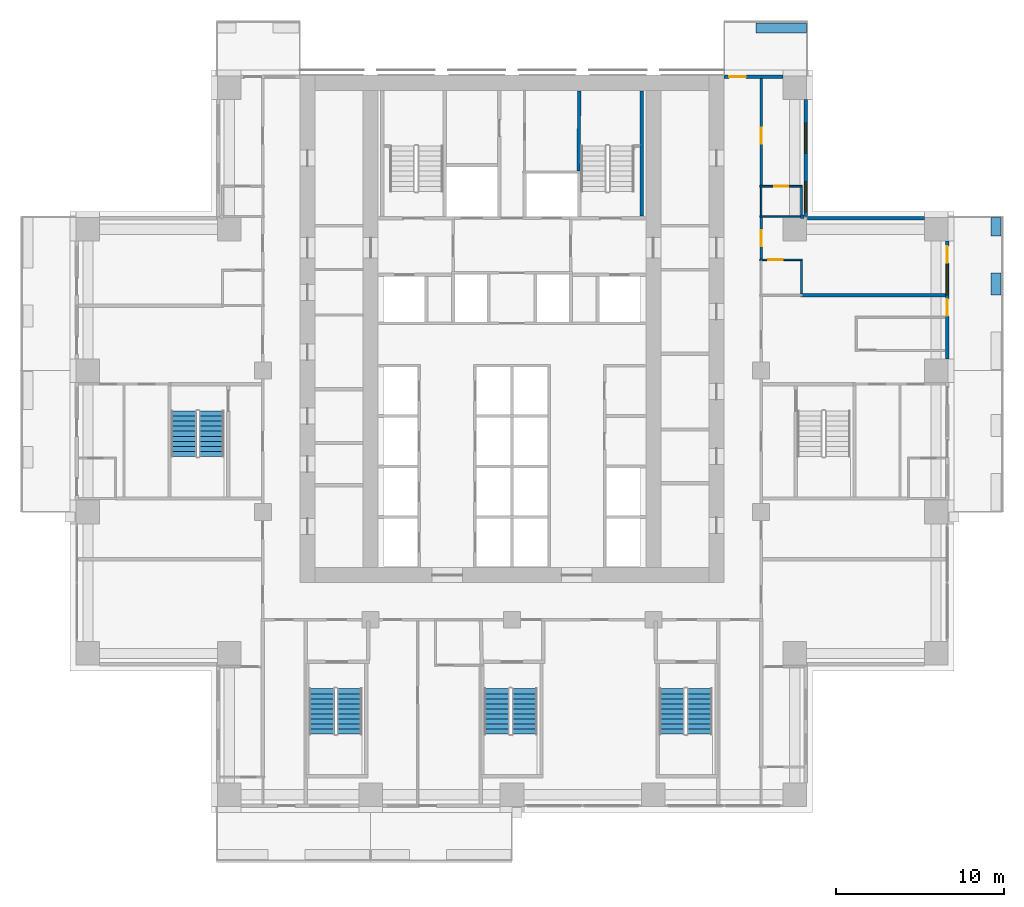
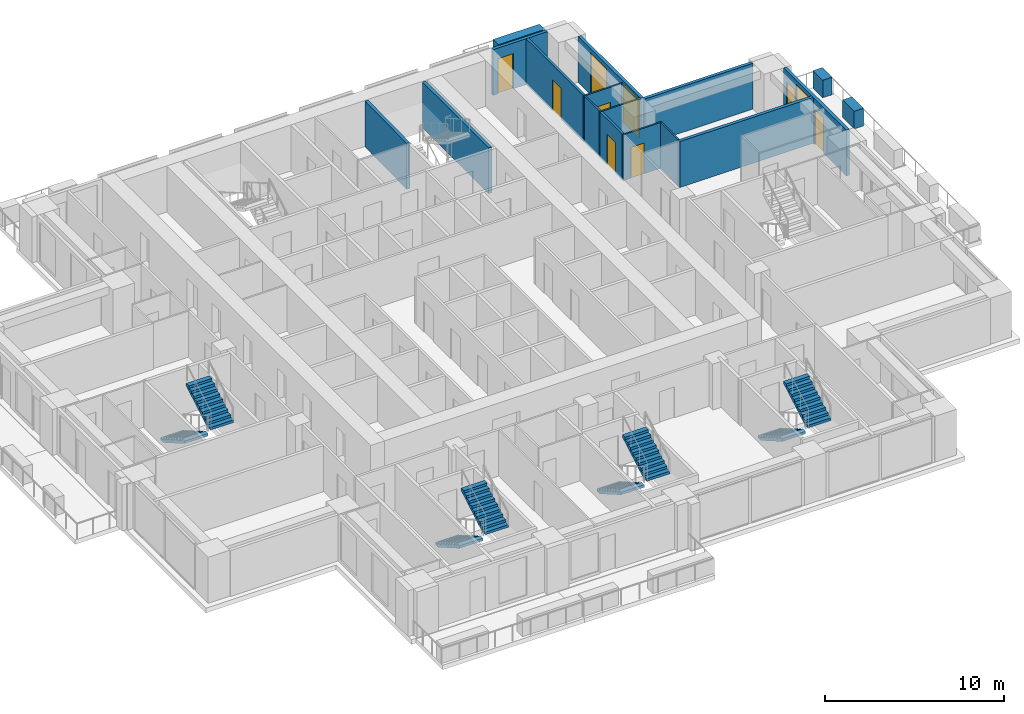
# One storey, part 12 of 17: 19 walls, 8 stair flights, 7 doors, 3 windows, 10 openings, 4 elements without a shape of their own.
"""IFC4 building model written with IfcOpenShell, lengths in metres."""

from ifc_helpers import new_model, si_unit, direction, frame, frame_2d, origin, place, context, subcontext, project, spatial, polyline, rectangle, outline, extrude, material, layer, layer_set, type_object, element, fill, aggregate, save


model = new_model("IFC4")

# Units and contexts
model_context = context("Model", 3, precision=1e-05, world=origin(), true_north=direction((0.0, 1.0)))
body_context = subcontext(model_context, "Body", "Model", "MODEL_VIEW")
ifc_project = project(units=[si_unit("LENGTHUNIT", "METRE"), si_unit("AREAUNIT", "SQUARE_METRE"), si_unit("VOLUMEUNIT", "CUBIC_METRE"), si_unit("PLANEANGLEUNIT", "RADIAN"), si_unit("MASSUNIT", "GRAM", prefix="KILO")], contexts=[model_context])

# Site, building, storey
site_placement = place(None, origin())
site = spatial("IfcSite", under=ifc_project, at=site_placement, CompositionType="ELEMENT")
building_placement = place(site_placement, origin())
building = spatial("IfcBuilding", under=site, at=building_placement, Name="Vermilion Ogive Tower", CompositionType="ELEMENT")
storey_placement = place(building_placement, frame((0.0, 0.0, 58.64990234375)))
storey = spatial("IfcBuildingStorey", under=building, at=storey_placement, Name="L13", CompositionType="ELEMENT", Elevation=58.64990234375)

# Wall, opening, door
ifc_material_1 = material(Name="Gypsum board partition on steel studs", Category="steel")
ifc_layer_1 = layer(ifc_material_1, 0.10009765625)
ifc_layer_set_1 = layer_set([ifc_layer_1], Name="Partition 100 bath")
wall_type_1 = type_object("IfcWallType", Name="Partition 100 bath", PredefinedType="PARTITIONING", material=ifc_layer_set_1)
wall_1_placement = place(storey_placement, frame((14.72509765625, 10.780029296875, 0.0), z_axis=(0.0, 0.0, 1.0), x_axis=(1.0, 0.0, 0.0)))
wall_1 = element("IfcWall", 1, at=wall_1_placement, inside=storey, type_object=wall_type_1, Name="L13-W-W034", PredefinedType="PARTITIONING", context=body_context, shape_type="SweptSolid", body=[
    extrude(rectangle(XDim=2.52490234375, YDim=0.10009765625, at=frame_2d((1.262451171875, 0.0))), origin(), (0.0, 0.0, 1.0), 3.130126953125),
])
opening_1_placement = place(wall_1_placement, frame((0.5, 0.0, 0.0)))
opening_1 = element("IfcOpeningElement", 2, at=opening_1_placement, cuts=wall_1, Name="Opening D1G4025", PredefinedType="OPENING", context=body_context, shape_type="SweptSolid", body=[
    extrude(rectangle(XDim=0.85009765625, YDim=2.10009765625, at=frame_2d((0.425048828125, 1.050048828125))), frame((0.0, 0.06005859375, 0.0), z_axis=(0.0, -1.0, 0.0), x_axis=(1.0, 0.0, 0.0)), (0.0, 0.0, 1.0), 0.1201171875),
])
ifc_material_2 = material(Name="Timber door leaf", Category="wood")
door_type_1 = type_object("IfcDoorType", Name="Bath door 850 x 2100 FD30", OperationType="SINGLE_SWING_LEFT", PredefinedType="DOOR", material=ifc_material_2)
door_1_placement = place(opening_1_placement, origin())
door_1 = element("IfcDoor", 3, at=door_1_placement, inside=storey, type_object=door_type_1, Name="L13-D-D025", OperationType="SINGLE_SWING_RIGHT", OverallHeight=2.10009765625, OverallWidth=0.85009765625, PredefinedType="DOOR", context=body_context, shape_type="SweptSolid", body=[
    extrude(rectangle(XDim=0.85009765625, YDim=2.10009765625, at=frame_2d((0.425048828125, 1.050048828125))), frame((0.0, 0.02490234375, 0.0), z_axis=(0.0, -1.0, 0.0), x_axis=(1.0, 0.0, 0.0)), (0.0, 0.0, 1.0), 0.050048828125),
])
fill(opening_1, door_1)

# Wall
wall_2_placement = place(storey_placement, frame((14.72509765625, 13.35009765625, 0.0), z_axis=(0.0, 0.0, 1.0), x_axis=(1.0, 0.0, 0.0)))
element("IfcWall", 4, at=wall_2_placement, inside=storey, type_object=wall_type_1, Name="L13-W-W037", PredefinedType="PARTITIONING", context=body_context, shape_type="SweptSolid", body=[
    extrude(rectangle(XDim=2.52490234375, YDim=0.10009765625, at=frame_2d((1.262451171875, 0.0))), origin(), (0.0, 0.0, 1.0), 3.130126953125),
])

# Wall, opening, door
wall_3_placement = place(storey_placement, frame((14.72509765625, 15.14990234375, 0.0), z_axis=(0.0, 0.0, 1.0), x_axis=(1.0, 0.0, 0.0)))
wall_3 = element("IfcWall", 5, at=wall_3_placement, inside=storey, type_object=wall_type_1, Name="L13-W-W040", PredefinedType="PARTITIONING", context=body_context, shape_type="SweptSolid", body=[
    extrude(rectangle(XDim=2.52490234375, YDim=0.10009765625, at=frame_2d((1.262451171875, 0.0))), origin(), (0.0, 0.0, 1.0), 3.130126953125),
])
opening_2_placement = place(wall_3_placement, frame((0.849853515625, 0.0, 0.0)))
opening_2 = element("IfcOpeningElement", 6, at=opening_2_placement, cuts=wall_3, Name="Opening D1G4027", PredefinedType="OPENING", context=body_context, shape_type="SweptSolid", body=[
    extrude(rectangle(XDim=0.85009765625, YDim=2.10009765625, at=frame_2d((0.425048828125, 1.050048828125))), frame((0.0, 0.06005859375, 0.0), z_axis=(0.0, -1.0, 0.0), x_axis=(1.0, 0.0, 0.0)), (0.0, 0.0, 1.0), 0.1201171875),
])
door_2_placement = place(opening_2_placement, origin())
door_2 = element("IfcDoor", 7, at=door_2_placement, inside=storey, type_object=door_type_1, Name="L13-D-D027", OperationType="SINGLE_SWING_RIGHT", OverallHeight=2.10009765625, OverallWidth=0.85009765625, PredefinedType="DOOR", context=body_context, shape_type="SweptSolid", body=[
    extrude(rectangle(XDim=0.85009765625, YDim=2.10009765625, at=frame_2d((0.425048828125, 1.050048828125))), frame((0.0, 0.02490234375, 0.0), z_axis=(0.0, -1.0, 0.0), x_axis=(1.0, 0.0, 0.0)), (0.0, 0.0, 1.0), 0.050048828125),
])
fill(opening_2, door_2)

# Walls
wall_4_placement = place(storey_placement, frame((14.800048828125, 13.39990234375, 0.0), z_axis=(0.0, 0.0, 1.0), x_axis=(0.0, 1.0, 0.0)))
element("IfcWall", 8, at=wall_4_placement, inside=storey, type_object=wall_type_1, Name="L13-W-W074", PredefinedType="PARTITIONING", context=body_context, shape_type="SweptSolid", body=[
    extrude(rectangle(XDim=1.7001953125, YDim=0.10009765625, at=frame_2d((0.85009765625, 0.0))), origin(), (0.0, 0.0, 1.0), 3.130126953125),
])
wall_5_placement = place(storey_placement, frame((17.199951171875, 8.780029296875, 0.0), z_axis=(0.0, 0.0, 1.0), x_axis=(0.0, 1.0, 0.0)))
element("IfcWall", 9, at=wall_5_placement, inside=storey, type_object=wall_type_1, Name="L13-W-W077", PredefinedType="PARTITIONING", context=body_context, shape_type="SweptSolid", body=[
    extrude(rectangle(XDim=1.949951171875, YDim=0.10009765625, at=frame_2d((0.97509765625, 0.0))), origin(), (0.0, 0.0, 1.0), 3.130126953125),
])
wall_6_placement = place(storey_placement, frame((17.199951171875, 13.449951171875, 0.0), z_axis=(0.0, 0.0, 1.0), x_axis=(0.0, 1.0, 0.0)))
element("IfcWall", 10, at=wall_6_placement, inside=storey, type_object=wall_type_1, Name="L13-W-W078", PredefinedType="PARTITIONING", context=body_context, shape_type="SweptSolid", body=[
    extrude(rectangle(XDim=1.650146484375, YDim=0.10009765625, at=frame_2d((0.8251953125, 0.0))), origin(), (0.0, 0.0, 1.0), 3.130126953125),
])

# Wall, opening, door
ifc_material_3 = material(Name="Gypsum board partition on steel studs", Category="steel")
ifc_layer_2 = layer(ifc_material_3, 0.14990234375)
ifc_layer_set_2 = layer_set([ifc_layer_2], Name="Partition 150 corridor")
wall_type_2 = type_object("IfcWallType", Name="Partition 150 corridor", PredefinedType="PARTITIONING", material=ifc_layer_set_2)
wall_7_placement = place(storey_placement, frame((14.800048828125, 10.830078125, 0.0), z_axis=(0.0, 0.0, 1.0), x_axis=(0.0, 1.0, 0.0)))
wall_7 = element("IfcWall", 11, at=wall_7_placement, inside=storey, type_object=wall_type_2, Name="L13-W-W073", PredefinedType="PARTITIONING", context=body_context, shape_type="SweptSolid", body=[
    extrude(rectangle(XDim=2.469970703125, YDim=0.14990234375, at=frame_2d((1.23486328125, 0.0))), origin(), (0.0, 0.0, 1.0), 3.130126953125),
])
opening_3_placement = place(wall_7_placement, frame((0.760009765625, 0.0, 0.0)))
opening_3 = element("IfcOpeningElement", 12, at=opening_3_placement, cuts=wall_7, Name="Opening D1G4024", PredefinedType="OPENING", context=body_context, shape_type="SweptSolid", body=[
    extrude(rectangle(XDim=0.949951171875, YDim=2.10009765625, at=frame_2d((0.47509765625, 1.050048828125))), frame((0.0, 0.0849609375, 0.0), z_axis=(0.0, -1.0, 0.0), x_axis=(1.0, 0.0, 0.0)), (0.0, 0.0, 1.0), 0.169921875),
])
ifc_material_4 = material(Name="Timber door leaf", Category="wood")
door_type_2 = type_object("IfcDoorType", Name="Unit door 950 x 2100 FD30S", OperationType="SINGLE_SWING_LEFT", PredefinedType="DOOR", material=ifc_material_4)
door_3_placement = place(opening_3_placement, origin())
door_3 = element("IfcDoor", 13, at=door_3_placement, inside=storey, type_object=door_type_2, Name="L13-D-D024", OperationType="SINGLE_SWING_RIGHT", OverallHeight=2.10009765625, OverallWidth=0.949951171875, PredefinedType="DOOR", context=body_context, shape_type="SweptSolid", body=[
    extrude(rectangle(XDim=0.949951171875, YDim=2.10009765625, at=frame_2d((0.47509765625, 1.050048828125))), frame((0.0, 0.02490234375, 0.0), z_axis=(0.0, -1.0, 0.0), x_axis=(1.0, 0.0, 0.0)), (0.0, 0.0, 1.0), 0.050048828125),
])
fill(opening_3, door_3)

wall_8_placement = place(storey_placement, frame((14.800048828125, 15.199951171875, 0.0), z_axis=(0.0, 0.0, 1.0), x_axis=(0.0, 1.0, 0.0)))
wall_8 = element("IfcWall", 14, at=wall_8_placement, inside=storey, type_object=wall_type_2, Name="L13-W-W075", PredefinedType="PARTITIONING", context=body_context, shape_type="SweptSolid", body=[
    extrude(rectangle(XDim=6.35009765625, YDim=0.14990234375, at=frame_2d((3.175048828125, 0.0))), origin(), (0.0, 0.0, 1.0), 3.130126953125),
])
opening_4_placement = place(wall_8_placement, frame((2.47509765625, 0.0, 0.0)))
opening_4 = element("IfcOpeningElement", 15, at=opening_4_placement, cuts=wall_8, Name="Opening D1G4026", PredefinedType="OPENING", context=body_context, shape_type="SweptSolid", body=[
    extrude(rectangle(XDim=0.949951171875, YDim=2.10009765625, at=frame_2d((0.47509765625, 1.050048828125))), frame((0.0, 0.0849609375, 0.0), z_axis=(0.0, -1.0, 0.0), x_axis=(1.0, 0.0, 0.0)), (0.0, 0.0, 1.0), 0.169921875),
])
door_4_placement = place(opening_4_placement, origin())
door_4 = element("IfcDoor", 16, at=door_4_placement, inside=storey, type_object=door_type_2, Name="L13-D-D026", OperationType="SINGLE_SWING_LEFT", OverallHeight=2.10009765625, OverallWidth=0.949951171875, PredefinedType="DOOR", context=body_context, shape_type="SweptSolid", body=[
    extrude(rectangle(XDim=0.949951171875, YDim=2.10009765625, at=frame_2d((0.47509765625, 1.050048828125))), frame((0.0, 0.02490234375, 0.0), z_axis=(0.0, -1.0, 0.0), x_axis=(1.0, 0.0, 0.0)), (0.0, 0.0, 1.0), 0.050048828125),
])
fill(opening_4, door_4)

# Walls
ifc_material_5 = material(Name="Gypsum board partition on steel studs", Category="steel")
ifc_layer_3 = layer(ifc_material_5, 0.199951171875)
ifc_layer_set_3 = layer_set([ifc_layer_3], Name="Partition 200 party")
wall_type_3 = type_object("IfcWallType", Name="Partition 200 party", PredefinedType="PARTITIONING", material=ifc_layer_set_3)
wall_9_placement = place(storey_placement, frame((17.14990234375, 8.679931640625, 0.0), z_axis=(0.0, 0.0, 1.0), x_axis=(1.0, 0.0, 0.0)))
element("IfcWall", 17, at=wall_9_placement, inside=storey, type_object=wall_type_3, Name="L13-W-W032", PredefinedType="PARTITIONING", context=body_context, shape_type="SweptSolid", body=[
    extrude(rectangle(XDim=8.60009765625, YDim=0.199951171875, at=frame_2d((4.300048828125, 0.0))), origin(), (0.0, 0.0, 1.0), 3.130126953125),
])
wall_10_placement = place(storey_placement, frame((17.14990234375, 13.35009765625, 0.0), z_axis=(0.0, 0.0, 1.0), x_axis=(1.0, 0.0, 0.0)))
element("IfcWall", 18, at=wall_10_placement, inside=storey, type_object=wall_type_3, Name="L13-W-W038", PredefinedType="PARTITIONING", context=body_context, shape_type="SweptSolid", body=[
    extrude(rectangle(XDim=0.2001953125, YDim=0.199951171875, at=frame_2d((0.10009765625, 0.0))), origin(), (0.0, 0.0, 1.0), 3.130126953125),
])
ifc_material_6 = material(Name="Concrete B60", Category="concrete")
ifc_layer_4 = layer(ifc_material_6, 0.199951171875)
ifc_layer_set_4 = layer_set([ifc_layer_4], Name="Stair shaft wall 200 Concrete B60")
wall_type_4 = type_object("IfcWallType", Name="Stair shaft wall 200 Concrete B60", PredefinedType="SOLIDWALL", material=ifc_layer_set_4)
wall_11_placement = place(storey_placement, frame((3.949951171875, 16.050048828125, 0.0), z_axis=(0.0, 0.0, 1.0), x_axis=(0.010538176883, 0.999944471872, 0.0)))
element("IfcWall", 19, at=wall_11_placement, inside=storey, type_object=wall_type_4, Name="L13-CK-W-W038", PredefinedType="SOLIDWALL", context=body_context, shape_type="SweptSolid", body=[
    extrude(rectangle(XDim=4.749267578125, YDim=0.199951171875, at=frame_2d((2.37451171875, 0.0))), origin(), (0.0, 0.0, 1.0), 3.130126953125),
])
wall_12_placement = place(storey_placement, frame((7.699951171875, 13.39990234375, 0.0), z_axis=(0.0, 0.0, 1.0), x_axis=(0.0, 1.0, 0.0)))
element("IfcWall", 20, at=wall_12_placement, inside=storey, type_object=wall_type_4, Name="L13-SW-R026-E1", PredefinedType="SOLIDWALL", context=body_context, shape_type="SweptSolid", body=[
    extrude(rectangle(XDim=7.400146484375, YDim=0.199951171875, at=frame_2d((3.7001953125, 0.0))), origin(), (0.0, 0.0, 1.0), 3.130126953125),
])
ifc_material_7 = material(Name="Concrete B40", Category="concrete")
ifc_layer_5 = layer(ifc_material_7, 0.60009765625)
ifc_layer_set_5 = layer_set([ifc_layer_5], Name="Structural planter")
wall_type_5 = type_object("IfcWallType", Name="Structural planter", PredefinedType="USERDEFINED", material=ifc_layer_set_5)
wall_13_placement = place(storey_placement, frame((28.75, 8.699951171875, -0.039794921875), z_axis=(0.0, 0.0, 1.0), x_axis=(0.0, 1.0, 0.0)))
element("IfcWall", 21, at=wall_13_placement, inside=storey, type_object=wall_type_5, Name="Planter E03A2", ObjectType="PLANTER", PredefinedType="USERDEFINED", context=body_context, shape_type="SweptSolid", body=[
    extrude(rectangle(XDim=1.300048828125, YDim=0.60009765625, at=frame_2d((0.64990234375, 0.0))), origin(), (0.0, 0.0, 1.0), 1.199951171875),
])
wall_14_placement = place(storey_placement, frame((28.75, 12.199951171875, -0.039794921875), z_axis=(0.0, 0.0, 1.0), x_axis=(0.0, 1.0, 0.0)))
element("IfcWall", 22, at=wall_14_placement, inside=storey, type_object=wall_type_5, Name="Planter E03A3", ObjectType="PLANTER", PredefinedType="USERDEFINED", context=body_context, shape_type="SweptSolid", body=[
    extrude(rectangle(XDim=1.090087890625, YDim=0.60009765625, at=frame_2d((0.544921875, 0.0))), origin(), (0.0, 0.0, 1.0), 1.199951171875),
])
wall_15_placement = place(storey_placement, frame((17.489990234375, 24.550048828125, -0.039794921875), z_axis=(0.0, 0.0, 1.0), x_axis=(-1.0, 0.0, 0.0)))
element("IfcWall", 23, at=wall_15_placement, inside=storey, type_object=wall_type_5, Name="Planter N101A1", ObjectType="PLANTER", PredefinedType="USERDEFINED", context=body_context, shape_type="SweptSolid", body=[
    extrude(rectangle(XDim=2.989990234375, YDim=0.60009765625, at=frame_2d((1.4951171875, 0.0))), origin(), (0.0, 0.0, 1.0), 1.199951171875),
])

# Wall, openings, doors, window
ifc_material_8 = material(Name="Aluminium window wall framing", Category="aluminium")
ifc_layer_6 = layer(ifc_material_8, 0.199951171875)
ifc_layer_set_6 = layer_set([ifc_layer_6], Name="Window wall")
wall_type_6 = type_object("IfcWallType", Name="Window wall", PredefinedType="STANDARD", material=ifc_layer_set_6)
wall_16_placement = place(storey_placement, frame((25.85009765625, 4.89990234375, 0.0), z_axis=(0.0, 0.0, 1.0), x_axis=(0.0, 1.0, 0.0)))
wall_16 = element("IfcWall", 24, at=wall_16_placement, inside=storey, type_object=wall_type_6, Name="Window wall E3", PredefinedType="STANDARD", context=body_context, shape_type="SweptSolid", body=[
    extrude(rectangle(XDim=7.0, YDim=0.199951171875, at=frame_2d((3.5, 0.0))), origin(), (0.0, 0.0, 1.0), 3.130126953125),
])
opening_5_placement = place(wall_16_placement, frame((2.550048828125, 0.0, 0.0)))
opening_5 = element("IfcOpeningElement", 25, at=opening_5_placement, cuts=wall_16, Name="Opening D1-E01", PredefinedType="OPENING", context=body_context, shape_type="SweptSolid", body=[
    extrude(rectangle(XDim=1.0, YDim=2.39990234375, at=frame_2d((0.5, 1.199951171875))), frame((0.0, 0.10986328125, 0.0), z_axis=(0.0, -1.0, 0.0), x_axis=(1.0, 0.0, 0.0)), (0.0, 0.0, 1.0), 0.219970703125),
])
opening_6_placement = place(wall_16_placement, frame((3.800048828125, 0.0, 0.199951171875)))
opening_6 = element("IfcOpeningElement", 26, at=opening_6_placement, cuts=wall_16, Name="Opening W1-E02", PredefinedType="OPENING", context=body_context, shape_type="SweptSolid", body=[
    extrude(rectangle(XDim=1.800048828125, YDim=2.64990234375, at=frame_2d((0.89990234375, 1.324951171875))), frame((0.0, 0.10986328125, 0.0), z_axis=(0.0, -1.0, 0.0), x_axis=(1.0, 0.0, 0.0)), (0.0, 0.0, 1.0), 0.219970703125),
])
opening_7_placement = place(wall_16_placement, frame((5.699951171875, 0.0, 0.0)))
opening_7 = element("IfcOpeningElement", 27, at=opening_7_placement, cuts=wall_16, Name="Opening D1-E02", PredefinedType="OPENING", context=body_context, shape_type="SweptSolid", body=[
    extrude(rectangle(XDim=1.0, YDim=2.39990234375, at=frame_2d((0.5, 1.199951171875))), frame((0.0, 0.10986328125, 0.0), z_axis=(0.0, -1.0, 0.0), x_axis=(1.0, 0.0, 0.0)), (0.0, 0.0, 1.0), 0.219970703125),
])
ifc_material_9 = material(Name="Aluminium framed glazed door", Category="aluminium")
door_type_3 = type_object("IfcDoorType", Name="Balcony door D1", OperationType="SINGLE_SWING_LEFT", PredefinedType="DOOR", material=ifc_material_9)
door_5_placement = place(opening_5_placement, origin())
door_5 = element("IfcDoor", 28, at=door_5_placement, inside=storey, type_object=door_type_3, Name="Balcony door E01", OperationType="SINGLE_SWING_LEFT", OverallHeight=2.39990234375, OverallWidth=1.0, PredefinedType="DOOR", context=body_context, shape_type="SweptSolid", body=[
    extrude(rectangle(XDim=1.0, YDim=2.39990234375, at=frame_2d((0.5, 1.199951171875))), frame((0.0, 0.02490234375, 0.0), z_axis=(0.0, -1.0, 0.0), x_axis=(1.0, 0.0, 0.0)), (0.0, 0.0, 1.0), 0.050048828125),
])
fill(opening_5, door_5)
door_6_placement = place(opening_7_placement, origin())
door_6 = element("IfcDoor", 29, at=door_6_placement, inside=storey, type_object=door_type_3, Name="Balcony door E02", OperationType="SINGLE_SWING_LEFT", OverallHeight=2.39990234375, OverallWidth=1.0, PredefinedType="DOOR", context=body_context, shape_type="SweptSolid", body=[
    extrude(rectangle(XDim=1.0, YDim=2.39990234375, at=frame_2d((0.5, 1.199951171875))), frame((0.0, 0.02490234375, 0.0), z_axis=(0.0, -1.0, 0.0), x_axis=(1.0, 0.0, 0.0)), (0.0, 0.0, 1.0), 0.050048828125),
])
fill(opening_7, door_6)
ifc_material_10 = material(Name="Aluminium framed double glazing", Category="aluminium")
window_type = type_object("IfcWindowType", Name="Guest window W1", PartitioningType="SINGLE_PANEL", PredefinedType="WINDOW", material=ifc_material_10)
window_1_placement = place(opening_6_placement, origin())
window_1 = element("IfcWindow", 30, at=window_1_placement, inside=storey, type_object=window_type, Name="Window E02", OverallHeight=2.64990234375, OverallWidth=1.800048828125, PartitioningType="SINGLE_PANEL", PredefinedType="WINDOW", context=body_context, shape_type="SweptSolid", body=[
    extrude(rectangle(XDim=1.800048828125, YDim=2.64990234375, at=frame_2d((0.89990234375, 1.324951171875))), frame((0.0, 0.030029296875, 0.0), z_axis=(0.0, -1.0, 0.0), x_axis=(1.0, 0.0, 0.0)), (0.0, 0.0, 1.0), 0.06005859375),
])
fill(opening_6, window_1)

# Wall
wall_17_placement = place(storey_placement, frame((24.5, 13.25, 0.0), z_axis=(0.0, 0.0, 1.0), x_axis=(-1.0, 0.0, 0.0)))
element("IfcWall", 31, at=wall_17_placement, inside=storey, type_object=wall_type_6, Name="Window wall X31", PredefinedType="STANDARD", context=body_context, shape_type="SweptSolid", body=[
    extrude(rectangle(XDim=6.949951171875, YDim=0.199951171875, at=frame_2d((3.47509765625, 0.0))), origin(), (0.0, 0.0, 1.0), 3.130126953125),
])

# Wall, openings, windows
wall_18_placement = place(storey_placement, frame((17.449951171875, 13.35009765625, 0.0), z_axis=(0.0, 0.0, 1.0), x_axis=(0.0, 1.0, 0.0)))
wall_18 = element("IfcWall", 32, at=wall_18_placement, inside=storey, type_object=wall_type_6, Name="Window wall X41", PredefinedType="STANDARD", context=body_context, shape_type="SweptSolid", body=[
    extrude(rectangle(XDim=6.949951171875, YDim=0.199951171875, at=frame_2d((3.47509765625, 0.0))), origin(), (0.0, 0.0, 1.0), 3.130126953125),
])
opening_8_placement = place(wall_18_placement, frame((0.27490234375, 0.0, 0.199951171875)))
opening_8 = element("IfcOpeningElement", 33, at=opening_8_placement, cuts=wall_18, Name="Opening W1-X403", PredefinedType="OPENING", context=body_context, shape_type="SweptSolid", body=[
    extrude(rectangle(XDim=1.800048828125, YDim=2.64990234375, at=frame_2d((0.89990234375, 1.324951171875))), frame((0.0, 0.10986328125, 0.0), z_axis=(0.0, -1.0, 0.0), x_axis=(1.0, 0.0, 0.0)), (0.0, 0.0, 1.0), 0.219970703125),
])
opening_9_placement = place(wall_18_placement, frame((3.75, 0.0, 0.199951171875)))
opening_9 = element("IfcOpeningElement", 34, at=opening_9_placement, cuts=wall_18, Name="Opening W1-X404", PredefinedType="OPENING", context=body_context, shape_type="SweptSolid", body=[
    extrude(rectangle(XDim=1.800048828125, YDim=2.64990234375, at=frame_2d((0.89990234375, 1.324951171875))), frame((0.0, 0.10986328125, 0.0), z_axis=(0.0, -1.0, 0.0), x_axis=(1.0, 0.0, 0.0)), (0.0, 0.0, 1.0), 0.219970703125),
])
window_2_placement = place(opening_8_placement, origin())
window_2 = element("IfcWindow", 35, at=window_2_placement, inside=storey, type_object=window_type, Name="Window X403", OverallHeight=2.64990234375, OverallWidth=1.800048828125, PartitioningType="SINGLE_PANEL", PredefinedType="WINDOW", context=body_context, shape_type="SweptSolid", body=[
    extrude(rectangle(XDim=1.800048828125, YDim=2.64990234375, at=frame_2d((0.89990234375, 1.324951171875))), frame((0.0, 0.030029296875, 0.0), z_axis=(0.0, -1.0, 0.0), x_axis=(1.0, 0.0, 0.0)), (0.0, 0.0, 1.0), 0.06005859375),
])
fill(opening_8, window_2)
window_3_placement = place(opening_9_placement, origin())
window_3 = element("IfcWindow", 36, at=window_3_placement, inside=storey, type_object=window_type, Name="Window X404", OverallHeight=2.64990234375, OverallWidth=1.800048828125, PartitioningType="SINGLE_PANEL", PredefinedType="WINDOW", context=body_context, shape_type="SweptSolid", body=[
    extrude(rectangle(XDim=1.800048828125, YDim=2.64990234375, at=frame_2d((0.89990234375, 1.324951171875))), frame((0.0, 0.030029296875, 0.0), z_axis=(0.0, -1.0, 0.0), x_axis=(1.0, 0.0, 0.0)), (0.0, 0.0, 1.0), 0.06005859375),
])
fill(opening_9, window_3)

# Wall, opening, door
wall_19_placement = place(storey_placement, frame((16.10009765625, 21.64990234375, 0.0), z_axis=(0.0, 0.0, 1.0), x_axis=(-1.0, 0.0, 0.0)))
wall_19 = element("IfcWall", 37, at=wall_19_placement, inside=storey, type_object=wall_type_6, Name="Window wall N11", PredefinedType="STANDARD", context=body_context, shape_type="SweptSolid", body=[
    extrude(rectangle(XDim=3.5, YDim=0.199951171875, at=frame_2d((1.75, 0.0))), origin(), (0.0, 0.0, 1.0), 3.130126953125),
])
opening_10_placement = place(wall_19_placement, frame((2.199951171875, 0.0, 0.0)))
opening_10 = element("IfcOpeningElement", 38, at=opening_10_placement, cuts=wall_19, Name="Opening D1-N103", PredefinedType="OPENING", context=body_context, shape_type="SweptSolid", body=[
    extrude(rectangle(XDim=1.0, YDim=2.39990234375, at=frame_2d((0.5, 1.199951171875))), frame((0.0, 0.10986328125, 0.0), z_axis=(0.0, -1.0, 0.0), x_axis=(1.0, 0.0, 0.0)), (0.0, 0.0, 1.0), 0.219970703125),
])
door_7_placement = place(opening_10_placement, origin())
door_7 = element("IfcDoor", 39, at=door_7_placement, inside=storey, type_object=door_type_3, Name="Balcony door N103", OperationType="SINGLE_SWING_LEFT", OverallHeight=2.39990234375, OverallWidth=1.0, PredefinedType="DOOR", context=body_context, shape_type="SweptSolid", body=[
    extrude(rectangle(XDim=1.0, YDim=2.39990234375, at=frame_2d((0.5, 1.199951171875))), frame((0.0, 0.02490234375, 0.0), z_axis=(0.0, -1.0, 0.0), x_axis=(1.0, 0.0, 0.0)), (0.0, 0.0, 1.0), 0.050048828125),
])
fill(opening_10, door_7)

# Stair, stair flights
ifc_material_11 = material(Name="Concrete B40", Category="concrete")
stair_type = type_object("IfcStairType", Name="Exit stair 1500", PredefinedType="HALF_TURN_STAIR", material=ifc_material_11)
stair_1_placement = place(storey_placement, origin())
stair_1 = element("IfcStair", 40, at=stair_1_placement, inside=storey, type_object=stair_type, Name="L13 Exit Stair ST3", PredefinedType="HALF_TURN_STAIR")
ifc_material_12 = material(Name="Concrete B40", Category="concrete")
stair_flight_type = type_object("IfcStairFlightType", Name="Stair flight 1500", PredefinedType="STRAIGHT", material=ifc_material_12)
stair_flight_1_placement = place(storey_placement, frame((-11.300048828125, -14.699951171875, 0.0), z_axis=(0.0, 0.0, 1.0), x_axis=(0.0, -1.0, 0.0)))
stair_flight_1 = element("IfcStairFlight", 41, at=stair_flight_1_placement, type_object=stair_flight_type, Name="ST3 flight 1", NumberOfRisers=10, NumberOfTreads=9, PredefinedType="STRAIGHT", RiserHeight=0.1725, TreadLength=0.3, context=body_context, shape_type="SweptSolid", body=[
    extrude(outline(polyline([(0.0, 0.0), (0.0, 0.172607421875), (0.300048828125, 0.172607421875), (0.300048828125, 0.344970703125), (0.60009765625, 0.344970703125), (0.60009765625, 0.517578125), (0.89990234375, 0.517578125), (0.89990234375, 0.68994140625), (1.199951171875, 0.68994140625), (1.199951171875, 0.862548828125), (1.5, 0.862548828125), (1.5, 1.034912109375), (1.800048828125, 1.034912109375), (1.800048828125, 1.20751953125), (2.10009765625, 1.20751953125), (2.10009765625, 1.3798828125), (2.39990234375, 1.3798828125), (2.39990234375, 1.552490234375), (2.699951171875, 1.552490234375), (2.699951171875, 1.72509765625), (2.699951171875, 1.379638671875), (0.30078125, 0.0), (0.0, 0.0)])), frame((0.0, 0.75, 0.0), z_axis=(0.0, -1.0, 0.0), x_axis=(1.0, 0.0, 0.0)), (0.0, 0.0, 1.0), 1.5),
])
stair_flight_2_placement = place(storey_placement, frame((-9.64990234375, -17.39990234375, 1.72509765625), z_axis=(0.0, 0.0, 1.0), x_axis=(0.0, 1.0, 0.0)))
stair_flight_2 = element("IfcStairFlight", 42, at=stair_flight_2_placement, type_object=stair_flight_type, Name="ST3 flight 2", NumberOfRisers=10, NumberOfTreads=9, PredefinedType="STRAIGHT", RiserHeight=0.1725, TreadLength=0.3, context=body_context, shape_type="SweptSolid", body=[
    extrude(outline(polyline([(0.0, 0.0), (0.0, 0.172607421875), (0.300048828125, 0.172607421875), (0.300048828125, 0.344970703125), (0.60009765625, 0.344970703125), (0.60009765625, 0.517578125), (0.89990234375, 0.517578125), (0.89990234375, 0.68994140625), (1.199951171875, 0.68994140625), (1.199951171875, 0.862548828125), (1.5, 0.862548828125), (1.5, 1.034912109375), (1.800048828125, 1.034912109375), (1.800048828125, 1.20751953125), (2.10009765625, 1.20751953125), (2.10009765625, 1.3798828125), (2.39990234375, 1.3798828125), (2.39990234375, 1.552490234375), (2.699951171875, 1.552490234375), (2.699951171875, 1.72509765625), (2.699951171875, 1.379638671875), (0.30078125, 0.0), (0.0, 0.0)])), frame((0.0, 0.75, 0.0), z_axis=(0.0, -1.0, 0.0), x_axis=(1.0, 0.0, 0.0)), (0.0, 0.0, 1.0), 1.5),
])
aggregate(stair_1, [stair_flight_1, stair_flight_2])

stair_2_placement = place(storey_placement, origin())
stair_2 = element("IfcStair", 43, at=stair_2_placement, inside=storey, type_object=stair_type, Name="L13 Exit Stair ST4", PredefinedType="HALF_TURN_STAIR")
stair_flight_3_placement = place(storey_placement, frame((-0.89990234375, -14.699951171875, 0.0), z_axis=(0.0, 0.0, 1.0), x_axis=(0.0, -1.0, 0.0)))
stair_flight_3 = element("IfcStairFlight", 44, at=stair_flight_3_placement, type_object=stair_flight_type, Name="ST4 flight 1", NumberOfRisers=10, NumberOfTreads=9, PredefinedType="STRAIGHT", RiserHeight=0.1725, TreadLength=0.3, context=body_context, shape_type="SweptSolid", body=[
    extrude(outline(polyline([(0.0, 0.0), (0.0, 0.172607421875), (0.300048828125, 0.172607421875), (0.300048828125, 0.344970703125), (0.60009765625, 0.344970703125), (0.60009765625, 0.517578125), (0.89990234375, 0.517578125), (0.89990234375, 0.68994140625), (1.199951171875, 0.68994140625), (1.199951171875, 0.862548828125), (1.5, 0.862548828125), (1.5, 1.034912109375), (1.800048828125, 1.034912109375), (1.800048828125, 1.20751953125), (2.10009765625, 1.20751953125), (2.10009765625, 1.3798828125), (2.39990234375, 1.3798828125), (2.39990234375, 1.552490234375), (2.699951171875, 1.552490234375), (2.699951171875, 1.72509765625), (2.699951171875, 1.379638671875), (0.30078125, 0.0), (0.0, 0.0)])), frame((0.0, 0.75, 0.0), z_axis=(0.0, -1.0, 0.0), x_axis=(1.0, 0.0, 0.0)), (0.0, 0.0, 1.0), 1.5),
])
stair_flight_4_placement = place(storey_placement, frame((0.75, -17.39990234375, 1.72509765625), z_axis=(0.0, 0.0, 1.0), x_axis=(0.0, 1.0, 0.0)))
stair_flight_4 = element("IfcStairFlight", 45, at=stair_flight_4_placement, type_object=stair_flight_type, Name="ST4 flight 2", NumberOfRisers=10, NumberOfTreads=9, PredefinedType="STRAIGHT", RiserHeight=0.1725, TreadLength=0.3, context=body_context, shape_type="SweptSolid", body=[
    extrude(outline(polyline([(0.0, 0.0), (0.0, 0.172607421875), (0.300048828125, 0.172607421875), (0.300048828125, 0.344970703125), (0.60009765625, 0.344970703125), (0.60009765625, 0.517578125), (0.89990234375, 0.517578125), (0.89990234375, 0.68994140625), (1.199951171875, 0.68994140625), (1.199951171875, 0.862548828125), (1.5, 0.862548828125), (1.5, 1.034912109375), (1.800048828125, 1.034912109375), (1.800048828125, 1.20751953125), (2.10009765625, 1.20751953125), (2.10009765625, 1.3798828125), (2.39990234375, 1.3798828125), (2.39990234375, 1.552490234375), (2.699951171875, 1.552490234375), (2.699951171875, 1.72509765625), (2.699951171875, 1.379638671875), (0.30078125, 0.0), (0.0, 0.0)])), frame((0.0, 0.75, 0.0), z_axis=(0.0, -1.0, 0.0), x_axis=(1.0, 0.0, 0.0)), (0.0, 0.0, 1.0), 1.5),
])
aggregate(stair_2, [stair_flight_3, stair_flight_4])

stair_3_placement = place(storey_placement, origin())
stair_3 = element("IfcStair", 46, at=stair_3_placement, inside=storey, type_object=stair_type, Name="L13 Exit Stair ST5", PredefinedType="HALF_TURN_STAIR")
stair_flight_5_placement = place(storey_placement, frame((9.5, -14.699951171875, 0.0), z_axis=(0.0, 0.0, 1.0), x_axis=(0.0, -1.0, 0.0)))
stair_flight_5 = element("IfcStairFlight", 47, at=stair_flight_5_placement, type_object=stair_flight_type, Name="ST5 flight 1", NumberOfRisers=10, NumberOfTreads=9, PredefinedType="STRAIGHT", RiserHeight=0.1725, TreadLength=0.3, context=body_context, shape_type="SweptSolid", body=[
    extrude(outline(polyline([(0.0, 0.0), (0.0, 0.172607421875), (0.300048828125, 0.172607421875), (0.300048828125, 0.344970703125), (0.60009765625, 0.344970703125), (0.60009765625, 0.517578125), (0.89990234375, 0.517578125), (0.89990234375, 0.68994140625), (1.199951171875, 0.68994140625), (1.199951171875, 0.862548828125), (1.5, 0.862548828125), (1.5, 1.034912109375), (1.800048828125, 1.034912109375), (1.800048828125, 1.20751953125), (2.10009765625, 1.20751953125), (2.10009765625, 1.3798828125), (2.39990234375, 1.3798828125), (2.39990234375, 1.552490234375), (2.699951171875, 1.552490234375), (2.699951171875, 1.72509765625), (2.699951171875, 1.379638671875), (0.30078125, 0.0), (0.0, 0.0)])), frame((0.0, 0.75, 0.0), z_axis=(0.0, -1.0, 0.0), x_axis=(1.0, 0.0, 0.0)), (0.0, 0.0, 1.0), 1.5),
])
stair_flight_6_placement = place(storey_placement, frame((11.14990234375, -17.39990234375, 1.72509765625), z_axis=(0.0, 0.0, 1.0), x_axis=(0.0, 1.0, 0.0)))
stair_flight_6 = element("IfcStairFlight", 48, at=stair_flight_6_placement, type_object=stair_flight_type, Name="ST5 flight 2", NumberOfRisers=10, NumberOfTreads=9, PredefinedType="STRAIGHT", RiserHeight=0.1725, TreadLength=0.3, context=body_context, shape_type="SweptSolid", body=[
    extrude(outline(polyline([(0.0, 0.0), (0.0, 0.172607421875), (0.300048828125, 0.172607421875), (0.300048828125, 0.344970703125), (0.60009765625, 0.344970703125), (0.60009765625, 0.517578125), (0.89990234375, 0.517578125), (0.89990234375, 0.68994140625), (1.199951171875, 0.68994140625), (1.199951171875, 0.862548828125), (1.5, 0.862548828125), (1.5, 1.034912109375), (1.800048828125, 1.034912109375), (1.800048828125, 1.20751953125), (2.10009765625, 1.20751953125), (2.10009765625, 1.3798828125), (2.39990234375, 1.3798828125), (2.39990234375, 1.552490234375), (2.699951171875, 1.552490234375), (2.699951171875, 1.72509765625), (2.699951171875, 1.379638671875), (0.30078125, 0.0), (0.0, 0.0)])), frame((0.0, 0.75, 0.0), z_axis=(0.0, -1.0, 0.0), x_axis=(1.0, 0.0, 0.0)), (0.0, 0.0, 1.0), 1.5),
])
aggregate(stair_3, [stair_flight_5, stair_flight_6])

stair_4_placement = place(storey_placement, origin())
stair_4 = element("IfcStair", 49, at=stair_4_placement, inside=storey, type_object=stair_type, Name="L13 Exit Stair ST9", PredefinedType="HALF_TURN_STAIR")
stair_flight_7_placement = place(storey_placement, frame((-19.5, 1.800048828125, 0.0), z_axis=(0.0, 0.0, 1.0), x_axis=(0.0, -1.0, 0.0)))
stair_flight_7 = element("IfcStairFlight", 50, at=stair_flight_7_placement, type_object=stair_flight_type, Name="ST9 flight 1", NumberOfRisers=10, NumberOfTreads=9, PredefinedType="STRAIGHT", RiserHeight=0.1725, TreadLength=0.3, context=body_context, shape_type="SweptSolid", body=[
    extrude(outline(polyline([(0.0, 0.0), (0.0, 0.172607421875), (0.300048828125, 0.172607421875), (0.300048828125, 0.344970703125), (0.60009765625, 0.344970703125), (0.60009765625, 0.517578125), (0.89990234375, 0.517578125), (0.89990234375, 0.68994140625), (1.199951171875, 0.68994140625), (1.199951171875, 0.862548828125), (1.5, 0.862548828125), (1.5, 1.034912109375), (1.800048828125, 1.034912109375), (1.800048828125, 1.20751953125), (2.10009765625, 1.20751953125), (2.10009765625, 1.3798828125), (2.39990234375, 1.3798828125), (2.39990234375, 1.552490234375), (2.699951171875, 1.552490234375), (2.699951171875, 1.72509765625), (2.699951171875, 1.379638671875), (0.30078125, 0.0), (0.0, 0.0)])), frame((0.0, 0.75, 0.0), z_axis=(0.0, -1.0, 0.0), x_axis=(1.0, 0.0, 0.0)), (0.0, 0.0, 1.0), 1.5),
])
stair_flight_8_placement = place(storey_placement, frame((-17.85009765625, -0.89990234375, 1.72509765625), z_axis=(0.0, 0.0, 1.0), x_axis=(0.0, 1.0, 0.0)))
stair_flight_8 = element("IfcStairFlight", 51, at=stair_flight_8_placement, type_object=stair_flight_type, Name="ST9 flight 2", NumberOfRisers=10, NumberOfTreads=9, PredefinedType="STRAIGHT", RiserHeight=0.1725, TreadLength=0.3, context=body_context, shape_type="SweptSolid", body=[
    extrude(outline(polyline([(0.0, 0.0), (0.0, 0.172607421875), (0.300048828125, 0.172607421875), (0.300048828125, 0.344970703125), (0.60009765625, 0.344970703125), (0.60009765625, 0.517578125), (0.89990234375, 0.517578125), (0.89990234375, 0.68994140625), (1.199951171875, 0.68994140625), (1.199951171875, 0.862548828125), (1.5, 0.862548828125), (1.5, 1.034912109375), (1.800048828125, 1.034912109375), (1.800048828125, 1.20751953125), (2.10009765625, 1.20751953125), (2.10009765625, 1.3798828125), (2.39990234375, 1.3798828125), (2.39990234375, 1.552490234375), (2.699951171875, 1.552490234375), (2.699951171875, 1.72509765625), (2.699951171875, 1.379638671875), (0.30078125, 0.0), (0.0, 0.0)])), frame((0.0, 0.75, 0.0), z_axis=(0.0, -1.0, 0.0), x_axis=(1.0, 0.0, 0.0)), (0.0, 0.0, 1.0), 1.5),
])
aggregate(stair_4, [stair_flight_7, stair_flight_8])

save(model, "model.ifc")
